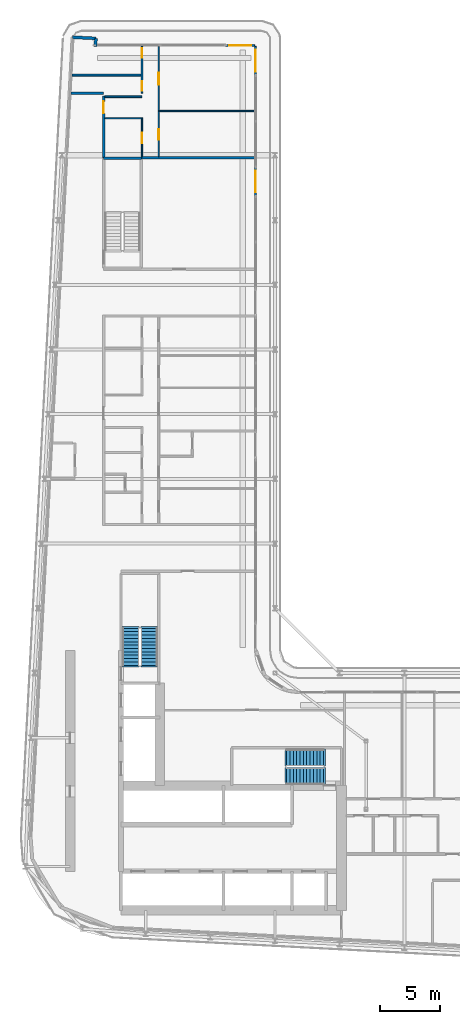
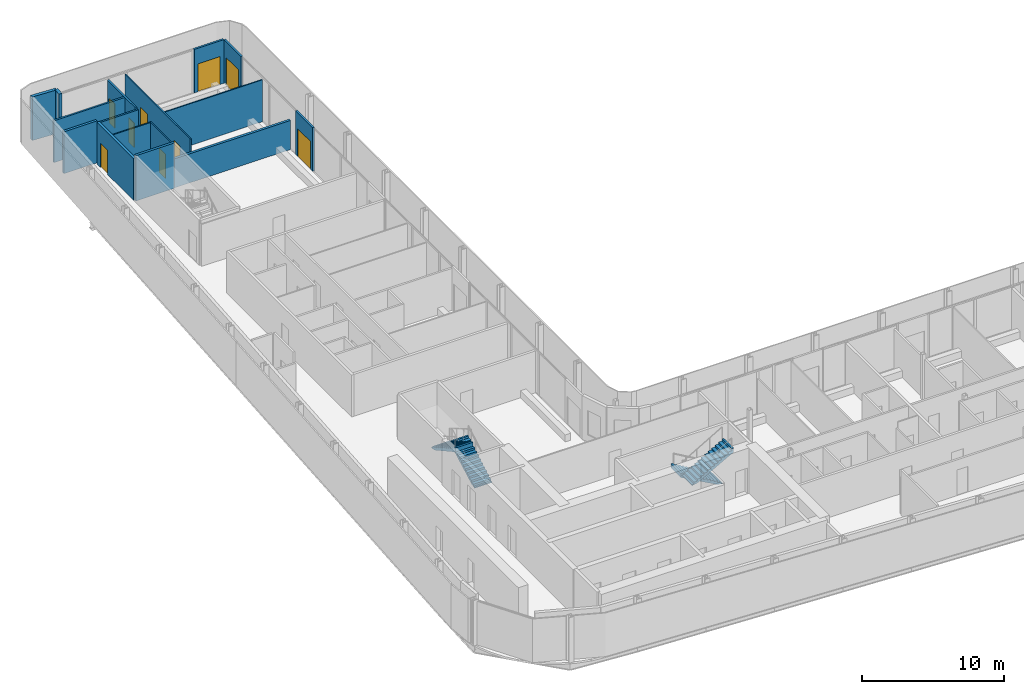
# One storey, part 21 of 29: 16 walls, 9 doors, 4 stair flights, 9 openings, 2 elements without a shape of their own.
"""IFC4 building model written with IfcOpenShell, lengths in metres."""

from ifc_helpers import new_model, si_unit, direction, frame, frame_2d, origin, place, context, subcontext, project, spatial, polyline, rectangle, outline, extrude, source, transform, mapped, material, layer, layer_set, type_object, element, fill, aggregate, save


model = new_model("IFC4")

# Units and contexts
model_context = context("Model", 3, precision=1e-05, world=origin(), true_north=direction((0.0, 1.0)))
body_context = subcontext(model_context, "Body", "Model", "MODEL_VIEW")
ifc_project = project(units=[si_unit("LENGTHUNIT", "METRE"), si_unit("AREAUNIT", "SQUARE_METRE"), si_unit("VOLUMEUNIT", "CUBIC_METRE"), si_unit("PLANEANGLEUNIT", "RADIAN"), si_unit("MASSUNIT", "GRAM", prefix="KILO")], contexts=[model_context])

# Site, building, storey
site_placement = place(None, origin())
site = spatial("IfcSite", under=ifc_project, at=site_placement, CompositionType="ELEMENT")
building_placement = place(site_placement, origin())
building = spatial("IfcBuilding", under=site, at=building_placement, Name="Kheshtan School and Residences Tower", CompositionType="ELEMENT")
storey_placement = place(building_placement, frame((0.0, 0.0, 183.800048828125)))
storey = spatial("IfcBuildingStorey", under=building, at=storey_placement, Name="L43", CompositionType="ELEMENT", Elevation=183.800048828125)

# Wall
ifc_material_1 = material(Name="Gypsum board on steel studs with fire boards", Category="steel")
ifc_layer_1 = layer(ifc_material_1, 0.199951171875)
ifc_layer_set_1 = layer_set([ifc_layer_1], Name="Corridor wall 200")
wall_type_1 = type_object("IfcWallType", Name="Corridor wall 200", PredefinedType="PARTITIONING", material=ifc_layer_set_1)
wall_1_placement = place(storey_placement, frame((30.584716796875, 94.0, 0.0), z_axis=(0.0, 0.0, 1.0), x_axis=(1.0, 0.0, 0.0)))
element("IfcWall", 1, at=wall_1_placement, inside=storey, type_object=wall_type_1, Name="Partition L43-002", PredefinedType="PARTITIONING", context=body_context, shape_type="SweptSolid", body=[
    extrude(rectangle(XDim=2.71533203125, YDim=0.199951171875, at=frame_2d((1.357666015625, 0.0))), origin(), (0.0, 0.0, 1.0), 3.599853515625),
])

# Wall, opening, door
wall_2_placement = place(storey_placement, frame((33.300048828125, 88.60009765625, 0.0), z_axis=(0.0, 0.0, 1.0), x_axis=(0.0, 1.0, 0.0)))
wall_2 = element("IfcWall", 2, at=wall_2_placement, inside=storey, type_object=wall_type_1, Name="Partition L43-005", PredefinedType="PARTITIONING", context=body_context, shape_type="SweptSolid", body=[
    extrude(rectangle(XDim=5.1748046875, YDim=0.199951171875, at=frame_2d((2.58740234375, 0.0))), origin(), (0.0, 0.0, 1.0), 3.599853515625),
])
opening_1_placement = place(wall_2_placement, frame((3.699951171875, 0.0, 0.0)))
opening_1 = element("IfcOpeningElement", 3, at=opening_1_placement, cuts=wall_2, Name="Opening D43-049", PredefinedType="OPENING", context=body_context, shape_type="SweptSolid", body=[
    extrude(rectangle(XDim=1.0, YDim=2.10009765625, at=frame_2d((0.5, 1.050048828125))), frame((0.0, 0.10986328125, 0.0), z_axis=(0.0, -1.0, 0.0), x_axis=(1.0, 0.0, 0.0)), (0.0, 0.0, 1.0), 0.219970703125),
])
ifc_material_2 = material(Name="Steel-framed fire-resisting door leaf", Category="steel")
door_type_1 = type_object("IfcDoorType", Name="Fire door FD30S 1000 x 2100", OperationType="SINGLE_SWING_LEFT", PredefinedType="DOOR", material=ifc_material_2)
shared_shape_1 = source(origin(), body_context, "Body", "SweptSolid", [
    extrude(rectangle(XDim=1.0, YDim=2.10009765625, at=frame_2d((0.5, 1.050048828125))), frame((0.0, 0.02490234375, 0.0), z_axis=(0.0, -1.0, 0.0), x_axis=(1.0, 0.0, 0.0)), (0.0, 0.0, 1.0), 0.050048828125),
])
door_1_placement = place(opening_1_placement, origin())
door_1 = element("IfcDoor", 4, at=door_1_placement, inside=storey, type_object=door_type_1, Name="Door D43-049", OperationType="SINGLE_SWING_RIGHT", OverallHeight=2.10009765625, OverallWidth=1.0, PredefinedType="DOOR", context=body_context, shape_type="MappedRepresentation", body=[
    mapped(shared_shape_1, transform((0.0, 0.0, 0.0), x_axis=(1.0, 0.0, 0.0), y_axis=(0.0, 1.0, 0.0), z_axis=(0.0, 0.0, 1.0), scale=1.0)),
])
fill(opening_1, door_1)

# Walls
ifc_material_3 = material(Name="Concrete C40/50 with ceramic cladding and mineral wool insulation", Category="concrete")
ifc_layer_2 = layer(ifc_material_3, 0.25)
ifc_layer_set_2 = layer_set([ifc_layer_2], Name="External wall 250 ceramic clad")
wall_type_2 = type_object("IfcWallType", Name="External wall 250 ceramic clad", PredefinedType="SOLIDWALL", material=ifc_layer_set_2)
wall_3_placement = place(storey_placement, frame((30.705078125, 98.6640625, 0.0), z_axis=(0.0, 0.0, 1.0), x_axis=(0.998577785791, -0.053314216913, 0.0)))
element("IfcWall", 5, at=wall_3_placement, inside=storey, type_object=wall_type_2, Name="External wall L43 5", PredefinedType="SOLIDWALL", context=body_context, shape_type="SweptSolid", body=[
    extrude(rectangle(XDim=1.95068359375, YDim=0.25, at=frame_2d((0.975341796875, 0.0))), origin(), (0.0, 0.0, 1.0), 3.75),
])
wall_4_placement = place(storey_placement, frame((32.653076171875, 98.56005859375, 0.0), z_axis=(0.0, 0.0, 1.0), x_axis=(-0.054093451632, -0.998535877418, 0.0)))
element("IfcWall", 6, at=wall_4_placement, inside=storey, type_object=wall_type_2, Name="External wall L43 6", PredefinedType="SOLIDWALL", context=body_context, shape_type="SweptSolid", body=[
    extrude(rectangle(XDim=0.66796875, YDim=0.25, at=frame_2d((0.333984375, 0.0))), origin(), (0.0, 0.0, 1.0), 3.75),
])

# Wall, opening, door
ifc_material_4 = material(Name="Aluminium frame wall with insulated infill", Category="aluminium")
ifc_layer_3 = layer(ifc_material_4, 0.14990234375)
ifc_layer_set_3 = layer_set([ifc_layer_3], Name="Glazing frame wall 150")
wall_type_3 = type_object("IfcWallType", Name="Glazing frame wall 150", PredefinedType="SOLIDWALL", material=ifc_layer_set_3)
wall_5_placement = place(storey_placement, frame((43.5, 97.97509765625, 0.0), z_axis=(0.0, 0.0, 1.0), x_axis=(1.0, 0.0, 0.0)))
wall_5 = element("IfcWall", 7, at=wall_5_placement, inside=storey, type_object=wall_type_3, Name="Balcony door wall L43 7.1", PredefinedType="SOLIDWALL", context=body_context, shape_type="SweptSolid", body=[
    extrude(rectangle(XDim=2.39990234375, YDim=0.14990234375, at=frame_2d((1.199951171875, 0.0))), origin(), (0.0, 0.0, 1.0), 3.75),
])
opening_2_placement = place(wall_5_placement, frame((0.300048828125, 0.0, 0.0)))
opening_2 = element("IfcOpeningElement", 8, at=opening_2_placement, cuts=wall_5, Name="Opening BD", PredefinedType="OPENING", context=body_context, shape_type="SweptSolid", body=[
    extrude(rectangle(XDim=1.800048828125, YDim=2.39990234375, at=frame_2d((0.89990234375, 1.199951171875))), frame((0.0, 0.0849609375, 0.0), z_axis=(0.0, -1.0, 0.0), x_axis=(1.0, 0.0, 0.0)), (0.0, 0.0, 1.0), 0.169921875),
])
ifc_material_5 = material(Name="Clear low-e glass in thermally broken aluminium frame", Category="aluminium")
door_type_2 = type_object("IfcDoorType", Name="Balcony sliding door", OperationType="SLIDING_TO_LEFT", PredefinedType="DOOR", material=ifc_material_5)
shared_shape_2 = source(origin(), body_context, "Body", "SweptSolid", [
    extrude(rectangle(XDim=1.800048828125, YDim=2.39990234375, at=frame_2d((0.89990234375, 1.199951171875))), frame((0.0, 0.02490234375, 0.0), z_axis=(0.0, -1.0, 0.0), x_axis=(1.0, 0.0, 0.0)), (0.0, 0.0, 1.0), 0.050048828125),
])
door_2_placement = place(opening_2_placement, origin())
door_2 = element("IfcDoor", 9, at=door_2_placement, inside=storey, type_object=door_type_2, Name="Balcony door L43 7.1", OperationType="SLIDING_TO_LEFT", OverallHeight=2.39990234375, OverallWidth=1.800048828125, PredefinedType="DOOR", context=body_context, shape_type="MappedRepresentation", body=[
    mapped(shared_shape_2, transform((0.0, 0.0, 0.0), x_axis=(1.0, 0.0, 0.0), y_axis=(0.0, 1.0, 0.0), z_axis=(0.0, 0.0, 1.0), scale=1.0)),
])
fill(opening_2, door_2)

wall_6_placement = place(storey_placement, frame((45.97509765625, 97.89990234375, 0.0), z_axis=(0.0, 0.0, 1.0), x_axis=(0.0, -1.0, 0.0)))
wall_6 = element("IfcWall", 10, at=wall_6_placement, inside=storey, type_object=wall_type_3, Name="Balcony door wall L43 8.1", PredefinedType="SOLIDWALL", context=body_context, shape_type="SweptSolid", body=[
    extrude(rectangle(XDim=2.39990234375, YDim=0.14990234375, at=frame_2d((1.199951171875, 0.0))), origin(), (0.0, 0.0, 1.0), 3.75),
])
opening_3_placement = place(wall_6_placement, frame((0.300048828125, 0.0, 0.0)))
opening_3 = element("IfcOpeningElement", 11, at=opening_3_placement, cuts=wall_6, Name="Opening BD", PredefinedType="OPENING", context=body_context, shape_type="SweptSolid", body=[
    extrude(rectangle(XDim=1.800048828125, YDim=2.39990234375, at=frame_2d((0.89990234375, 1.199951171875))), frame((0.0, 0.0849609375, 0.0), z_axis=(0.0, -1.0, 0.0), x_axis=(1.0, 0.0, 0.0)), (0.0, 0.0, 1.0), 0.169921875),
])
door_3_placement = place(opening_3_placement, origin())
door_3 = element("IfcDoor", 12, at=door_3_placement, inside=storey, type_object=door_type_2, Name="Balcony door L43 8.1", OperationType="SLIDING_TO_LEFT", OverallHeight=2.39990234375, OverallWidth=1.800048828125, PredefinedType="DOOR", context=body_context, shape_type="MappedRepresentation", body=[
    mapped(shared_shape_2, transform((0.0, 0.0, 0.0), x_axis=(1.0, 0.0, 0.0), y_axis=(0.0, 1.0, 0.0), z_axis=(0.0, 0.0, 1.0), scale=1.0)),
])
fill(opening_3, door_3)

wall_7_placement = place(storey_placement, frame((45.97509765625, 87.805908203125, 0.0), z_axis=(0.0, 0.0, 1.0), x_axis=(0.0, -1.0, 0.0)))
wall_7 = element("IfcWall", 13, at=wall_7_placement, inside=storey, type_object=wall_type_3, Name="Balcony door wall L43 8.2", PredefinedType="SOLIDWALL", context=body_context, shape_type="SweptSolid", body=[
    extrude(rectangle(XDim=2.39990234375, YDim=0.14990234375, at=frame_2d((1.199951171875, 0.0))), origin(), (0.0, 0.0, 1.0), 3.75),
])
opening_4_placement = place(wall_7_placement, frame((0.300048828125, 0.0, 0.0)))
opening_4 = element("IfcOpeningElement", 14, at=opening_4_placement, cuts=wall_7, Name="Opening BD", PredefinedType="OPENING", context=body_context, shape_type="SweptSolid", body=[
    extrude(rectangle(XDim=1.800048828125, YDim=2.39990234375, at=frame_2d((0.89990234375, 1.199951171875))), frame((0.0, 0.0849609375, 0.0), z_axis=(0.0, -1.0, 0.0), x_axis=(1.0, 0.0, 0.0)), (0.0, 0.0, 1.0), 0.169921875),
])
door_4_placement = place(opening_4_placement, origin())
door_4 = element("IfcDoor", 15, at=door_4_placement, inside=storey, type_object=door_type_2, Name="Balcony door L43 8.2", OperationType="SLIDING_TO_LEFT", OverallHeight=2.39990234375, OverallWidth=1.800048828125, PredefinedType="DOOR", context=body_context, shape_type="MappedRepresentation", body=[
    mapped(shared_shape_2, transform((0.0, 0.0, 0.0), x_axis=(1.0, 0.0, 0.0), y_axis=(0.0, 1.0, 0.0), z_axis=(0.0, 0.0, 1.0), scale=1.0)),
])
fill(opening_4, door_4)

# Wall
ifc_material_6 = material(Name="Gypsum board on steel studs", Category="steel")
ifc_layer_4 = layer(ifc_material_6, 0.10009765625)
ifc_layer_set_4 = layer_set([ifc_layer_4], Name="Gypsum partition 100")
wall_type_4 = type_object("IfcWallType", Name="Gypsum partition 100", PredefinedType="PARTITIONING", material=ifc_layer_set_4)
wall_8_placement = place(storey_placement, frame((33.39990234375, 91.89990234375, 0.0), z_axis=(0.0, 0.0, 1.0), x_axis=(1.0, 0.0, 0.0)))
element("IfcWall", 16, at=wall_8_placement, inside=storey, type_object=wall_type_4, Name="Partition L43-014", PredefinedType="PARTITIONING", context=body_context, shape_type="SweptSolid", body=[
    extrude(rectangle(XDim=3.050048828125, YDim=0.10009765625, at=frame_2d((1.52490234375, 0.0))), origin(), (0.0, 0.0, 1.0), 3.599853515625),
])

# Wall, opening, door
wall_9_placement = place(storey_placement, frame((36.5, 88.699951171875, 0.0), z_axis=(0.0, 0.0, 1.0), x_axis=(0.0, 1.0, 0.0)))
wall_9 = element("IfcWall", 17, at=wall_9_placement, inside=storey, type_object=wall_type_4, Name="Partition L43-021", PredefinedType="PARTITIONING", context=body_context, shape_type="SweptSolid", body=[
    extrude(rectangle(XDim=3.25, YDim=0.10009765625, at=frame_2d((1.625, 0.0))), origin(), (0.0, 0.0, 1.0), 3.599853515625),
])
opening_5_placement = place(wall_9_placement, frame((1.10009765625, 0.0, 0.0)))
opening_5 = element("IfcOpeningElement", 18, at=opening_5_placement, cuts=wall_9, Name="Opening D43-050", PredefinedType="OPENING", context=body_context, shape_type="SweptSolid", body=[
    extrude(rectangle(XDim=0.89990234375, YDim=2.10009765625, at=frame_2d((0.449951171875, 1.050048828125))), frame((0.0, 0.06005859375, 0.0), z_axis=(0.0, -1.0, 0.0), x_axis=(1.0, 0.0, 0.0)), (0.0, 0.0, 1.0), 0.1201171875),
])
ifc_material_7 = material(Name="Veneered timber door leaf", Category="wood")
door_type_3 = type_object("IfcDoorType", Name="Door 900 x 2100", OperationType="SINGLE_SWING_LEFT", PredefinedType="DOOR", material=ifc_material_7)
shared_shape_3 = source(origin(), body_context, "Body", "SweptSolid", [
    extrude(rectangle(XDim=0.89990234375, YDim=2.10009765625, at=frame_2d((0.449951171875, 1.050048828125))), frame((0.0, 0.02490234375, 0.0), z_axis=(0.0, -1.0, 0.0), x_axis=(1.0, 0.0, 0.0)), (0.0, 0.0, 1.0), 0.050048828125),
])
door_5_placement = place(opening_5_placement, origin())
door_5 = element("IfcDoor", 19, at=door_5_placement, inside=storey, type_object=door_type_3, Name="Door D43-050", OperationType="SINGLE_SWING_LEFT", OverallHeight=2.10009765625, OverallWidth=0.89990234375, PredefinedType="DOOR", context=body_context, shape_type="MappedRepresentation", body=[
    mapped(shared_shape_3, transform((0.0, 0.0, 0.0), x_axis=(1.0, 0.0, 0.0), y_axis=(0.0, 1.0, 0.0), z_axis=(0.0, 0.0, 1.0), scale=1.0)),
])
fill(opening_5, door_5)

# Wall, openings, doors
wall_10_placement = place(storey_placement, frame((37.89990234375, 88.699951171875, 0.0), z_axis=(0.0, 0.0, 1.0), x_axis=(0.0, 1.0, 0.0)))
wall_10 = element("IfcWall", 20, at=wall_10_placement, inside=storey, type_object=wall_type_4, Name="Partition L43-024", PredefinedType="PARTITIONING", context=body_context, shape_type="SweptSolid", body=[
    extrude(rectangle(XDim=9.199951171875, YDim=0.10009765625, at=frame_2d((4.60009765625, 0.0))), origin(), (0.0, 0.0, 1.0), 3.599853515625),
])
opening_6_placement = place(wall_10_placement, frame((1.39990234375, 0.0, 0.0)))
opening_6 = element("IfcOpeningElement", 21, at=opening_6_placement, cuts=wall_10, Name="Opening D43-048", PredefinedType="OPENING", context=body_context, shape_type="SweptSolid", body=[
    extrude(rectangle(XDim=0.89990234375, YDim=2.10009765625, at=frame_2d((0.449951171875, 1.050048828125))), frame((0.0, 0.06005859375, 0.0), z_axis=(0.0, -1.0, 0.0), x_axis=(1.0, 0.0, 0.0)), (0.0, 0.0, 1.0), 0.1201171875),
])
opening_7_placement = place(wall_10_placement, frame((6.0, 0.0, 0.0)))
opening_7 = element("IfcOpeningElement", 22, at=opening_7_placement, cuts=wall_10, Name="Opening D43-051", PredefinedType="OPENING", context=body_context, shape_type="SweptSolid", body=[
    extrude(rectangle(XDim=1.0, YDim=2.10009765625, at=frame_2d((0.5, 1.050048828125))), frame((0.0, 0.06005859375, 0.0), z_axis=(0.0, -1.0, 0.0), x_axis=(1.0, 0.0, 0.0)), (0.0, 0.0, 1.0), 0.1201171875),
])
door_type_4 = type_object("IfcDoorType", Name="Door 1000 x 2100", OperationType="SINGLE_SWING_LEFT", PredefinedType="DOOR", material=ifc_material_7)
shared_shape_4 = source(origin(), body_context, "Body", "SweptSolid", [
    extrude(rectangle(XDim=1.0, YDim=2.10009765625, at=frame_2d((0.5, 1.050048828125))), frame((0.0, 0.02490234375, 0.0), z_axis=(0.0, -1.0, 0.0), x_axis=(1.0, 0.0, 0.0)), (0.0, 0.0, 1.0), 0.050048828125),
])
door_6_placement = place(opening_7_placement, origin())
door_6 = element("IfcDoor", 23, at=door_6_placement, inside=storey, type_object=door_type_4, Name="Door D43-051", OperationType="SINGLE_SWING_RIGHT", OverallHeight=2.10009765625, OverallWidth=1.0, PredefinedType="DOOR", context=body_context, shape_type="MappedRepresentation", body=[
    mapped(shared_shape_4, transform((0.0, 0.0, 0.0), x_axis=(1.0, 0.0, 0.0), y_axis=(0.0, 1.0, 0.0), z_axis=(0.0, 0.0, 1.0), scale=1.0)),
])
fill(opening_7, door_6)
door_7_placement = place(opening_6_placement, origin())
door_7 = element("IfcDoor", 24, at=door_7_placement, inside=storey, type_object=door_type_3, Name="Door D43-048", OperationType="SINGLE_SWING_LEFT", OverallHeight=2.10009765625, OverallWidth=0.89990234375, PredefinedType="DOOR", context=body_context, shape_type="MappedRepresentation", body=[
    mapped(shared_shape_3, transform((0.0, 0.0, 0.0), x_axis=(1.0, 0.0, 0.0), y_axis=(0.0, 1.0, 0.0), z_axis=(0.0, 0.0, 1.0), scale=1.0)),
])
fill(opening_6, door_7)

# Walls
wall_11_placement = place(storey_placement, frame((37.949951171875, 92.5, 0.0), z_axis=(0.0, 0.0, 1.0), x_axis=(1.0, 0.0, 0.0)))
element("IfcWall", 25, at=wall_11_placement, inside=storey, type_object=wall_type_4, Name="Partition L43-025", PredefinedType="PARTITIONING", context=body_context, shape_type="SweptSolid", body=[
    extrude(rectangle(XDim=7.949951171875, YDim=0.10009765625, at=frame_2d((3.97509765625, 0.0))), origin(), (0.0, 0.0, 1.0), 3.599853515625),
])
ifc_material_8 = material(Name="Concrete C40/50", Category="concrete")
ifc_layer_5 = layer(ifc_material_8, 0.199951171875)
ifc_layer_set_5 = layer_set([ifc_layer_5], Name="Stair enclosure wall 200 Concrete C40/50")
wall_type_5 = type_object("IfcWallType", Name="Stair enclosure wall 200 Concrete C40/50", PredefinedType="SHEAR", material=ifc_layer_set_5)
wall_12_placement = place(storey_placement, frame((33.300048828125, 88.56005859375, 0.0), z_axis=(0.0, 0.0, 1.0), x_axis=(1.0, 0.0, 0.0)))
element("IfcWall", 26, at=wall_12_placement, inside=storey, type_object=wall_type_5, Name="Stair enclosure wall ST3", PredefinedType="SHEAR", context=body_context, shape_type="SweptSolid", body=[
    extrude(rectangle(XDim=3.14990234375, YDim=0.199951171875, at=frame_2d((1.574951171875, 0.0))), origin(), (0.0, 0.0, 1.0), 3.89990234375),
])
ifc_material_9 = material(Name="Twin gypsum board on steel studs with mineral wool", Category="steel")
ifc_layer_6 = layer(ifc_material_9, 0.199951171875)
ifc_layer_set_6 = layer_set([ifc_layer_6], Name="Unit demising wall 200")
wall_type_6 = type_object("IfcWallType", Name="Unit demising wall 200", PredefinedType="PARTITIONING", material=ifc_layer_set_6)
wall_13_placement = place(storey_placement, frame((36.449951171875, 88.60009765625, 0.0), z_axis=(0.0, 0.0, 1.0), x_axis=(1.0, 0.0, 0.0)))
element("IfcWall", 27, at=wall_13_placement, inside=storey, type_object=wall_type_6, Name="Partition L43-018", PredefinedType="PARTITIONING", context=body_context, shape_type="SweptSolid", body=[
    extrude(rectangle(XDim=9.449951171875, YDim=0.199951171875, at=frame_2d((4.72509765625, 0.0))), origin(), (0.0, 0.0, 1.0), 2.5),
])
ifc_material_10 = material(Name="Moisture-resistant gypsum board on steel studs", Category="steel")
ifc_layer_7 = layer(ifc_material_10, 0.14990234375)
ifc_layer_set_7 = layer_set([ifc_layer_7], Name="Wet-room partition 150")
wall_type_7 = type_object("IfcWallType", Name="Wet-room partition 150", PredefinedType="PARTITIONING", material=ifc_layer_set_7)
wall_14_placement = place(storey_placement, frame((30.6640625, 95.5, 0.0), z_axis=(0.0, 0.0, 1.0), x_axis=(1.0, 0.0, 0.0)))
element("IfcWall", 28, at=wall_14_placement, inside=storey, type_object=wall_type_7, Name="Partition L43-001", PredefinedType="PARTITIONING", context=body_context, shape_type="SweptSolid", body=[
    extrude(rectangle(XDim=5.760986328125, YDim=0.14990234375, at=frame_2d((2.88037109375, 0.0))), origin(), (0.0, 0.0, 1.0), 3.599853515625),
])
wall_15_placement = place(storey_placement, frame((33.39990234375, 93.699951171875, 0.0), z_axis=(0.0, 0.0, 1.0), x_axis=(1.0, 0.0, 0.0)))
element("IfcWall", 29, at=wall_15_placement, inside=storey, type_object=wall_type_7, Name="Partition L43-015", PredefinedType="PARTITIONING", context=body_context, shape_type="SweptSolid", body=[
    extrude(rectangle(XDim=3.10009765625, YDim=0.14990234375, at=frame_2d((1.550048828125, 0.0))), origin(), (0.0, 0.0, 1.0), 3.599853515625),
])

# Wall, openings, doors
wall_16_placement = place(storey_placement, frame((36.5, 94.0, 0.0), z_axis=(0.0, 0.0, 1.0), x_axis=(0.0, 1.0, 0.0)))
wall_16 = element("IfcWall", 30, at=wall_16_placement, inside=storey, type_object=wall_type_7, Name="Partition L43-022", PredefinedType="PARTITIONING", context=body_context, shape_type="SweptSolid", body=[
    extrude(rectangle(XDim=3.89990234375, YDim=0.14990234375, at=frame_2d((1.949951171875, 0.0))), origin(), (0.0, 0.0, 1.0), 3.599853515625),
])
opening_8_placement = place(wall_16_placement, frame((2.949951171875, 0.0, 0.0)))
opening_8 = element("IfcOpeningElement", 31, at=opening_8_placement, cuts=wall_16, Name="Opening D43-047", PredefinedType="OPENING", context=body_context, shape_type="SweptSolid", body=[
    extrude(rectangle(XDim=0.800048828125, YDim=2.10009765625, at=frame_2d((0.39990234375, 1.050048828125))), frame((0.0, 0.0849609375, 0.0), z_axis=(0.0, -1.0, 0.0), x_axis=(1.0, 0.0, 0.0)), (0.0, 0.0, 1.0), 0.169921875),
])
opening_9_placement = place(wall_16_placement, frame((0.199951171875, 0.0, 0.0)))
opening_9 = element("IfcOpeningElement", 32, at=opening_9_placement, cuts=wall_16, Name="Opening D43-052", PredefinedType="OPENING", context=body_context, shape_type="SweptSolid", body=[
    extrude(rectangle(XDim=0.800048828125, YDim=2.10009765625, at=frame_2d((0.39990234375, 1.050048828125))), frame((0.0, 0.0849609375, 0.0), z_axis=(0.0, -1.0, 0.0), x_axis=(1.0, 0.0, 0.0)), (0.0, 0.0, 1.0), 0.169921875),
])
door_type_5 = type_object("IfcDoorType", Name="Door 800 x 2100", OperationType="SINGLE_SWING_LEFT", PredefinedType="DOOR", material=ifc_material_7)
shared_shape_5 = source(origin(), body_context, "Body", "SweptSolid", [
    extrude(rectangle(XDim=0.800048828125, YDim=2.10009765625, at=frame_2d((0.39990234375, 1.050048828125))), frame((0.0, 0.02490234375, 0.0), z_axis=(0.0, -1.0, 0.0), x_axis=(1.0, 0.0, 0.0)), (0.0, 0.0, 1.0), 0.050048828125),
])
door_8_placement = place(opening_8_placement, origin())
door_8 = element("IfcDoor", 33, at=door_8_placement, inside=storey, type_object=door_type_5, Name="Door D43-047", OperationType="SINGLE_SWING_LEFT", OverallHeight=2.10009765625, OverallWidth=0.800048828125, PredefinedType="DOOR", context=body_context, shape_type="MappedRepresentation", body=[
    mapped(shared_shape_5, transform((0.0, 0.0, 0.0), x_axis=(1.0, 0.0, 0.0), y_axis=(0.0, 1.0, 0.0), z_axis=(0.0, 0.0, 1.0), scale=1.0)),
])
fill(opening_8, door_8)
door_9_placement = place(opening_9_placement, origin())
door_9 = element("IfcDoor", 34, at=door_9_placement, inside=storey, type_object=door_type_5, Name="Door D43-052", OperationType="SINGLE_SWING_RIGHT", OverallHeight=2.10009765625, OverallWidth=0.800048828125, PredefinedType="DOOR", context=body_context, shape_type="MappedRepresentation", body=[
    mapped(shared_shape_5, transform((0.0, 0.0, 0.0), x_axis=(1.0, 0.0, 0.0), y_axis=(0.0, 1.0, 0.0), z_axis=(0.0, 0.0, 1.0), scale=1.0)),
])
fill(opening_9, door_9)

# Stair, stair flights
stair_type = type_object("IfcStairType", Name="Exit stair, half-turn", PredefinedType="HALF_TURN_STAIR", material=ifc_material_8)
stair_1_placement = place(storey_placement, origin())
stair_1 = element("IfcStair", 35, at=stair_1_placement, inside=storey, type_object=stair_type, Name="L43 Protected Exit Stair ST1", PredefinedType="HALF_TURN_STAIR")
ifc_layer_8 = layer(ifc_material_8, 0.14990234375)
ifc_layer_set_8 = layer_set([ifc_layer_8], Name="Stair flight 1400 Concrete C40/50")
stair_flight_type = type_object("IfcStairFlightType", Name="Stair flight 1400 Concrete C40/50", PredefinedType="STRAIGHT", material=ifc_layer_set_8)
stair_flight_1_placement = place(storey_placement, frame((51.64990234375, 38.550048828125, 0.0), z_axis=(0.0, 0.0, 1.0), x_axis=(-1.0, 0.0, 0.0)))
stair_flight_1 = element("IfcStairFlight", 36, at=stair_flight_1_placement, type_object=stair_flight_type, Name="ST1 flight 1", NumberOfRisers=12, NumberOfTreads=11, PredefinedType="STRAIGHT", RiserHeight=0.1625, TreadLength=0.28, context=body_context, shape_type="SweptSolid", body=[
    extrude(outline(polyline([(-0.14990234375, -0.10009765625), (-0.14990234375, 0.0), (0.0, 0.0), (0.0, 0.16259765625), (0.280029296875, 0.16259765625), (0.280029296875, 0.324951171875), (0.56005859375, 0.324951171875), (0.56005859375, 0.487548828125), (0.840087890625, 0.487548828125), (0.840087890625, 0.64990234375), (1.1201171875, 0.64990234375), (1.1201171875, 0.8125), (1.39990234375, 0.8125), (1.39990234375, 0.97509765625), (1.679931640625, 0.97509765625), (1.679931640625, 1.137451171875), (1.9599609375, 1.137451171875), (1.9599609375, 1.300048828125), (2.239990234375, 1.300048828125), (2.239990234375, 1.46240234375), (2.52001953125, 1.46240234375), (2.52001953125, 1.625), (2.800048828125, 1.625), (2.800048828125, 1.78759765625), (3.080078125, 1.78759765625), (3.080078125, 1.949951171875), (3.080078125, 1.969970703125), (3.22998046875, 1.969970703125), (3.22998046875, 1.6142578125), (0.298583984375, 0.0), (-0.14990234375, -0.10009765625)])), frame((0.0, 0.699951171875, 0.0), z_axis=(0.0, -1.0, 0.0), x_axis=(1.0, 0.0, 0.0)), (0.0, 0.0, 1.0), 1.39990234375),
])
stair_flight_2_placement = place(storey_placement, frame((48.570068359375, 37.0, 1.949951171875), z_axis=(0.0, 0.0, 1.0), x_axis=(1.0, 0.0, 0.0)))
stair_flight_2 = element("IfcStairFlight", 37, at=stair_flight_2_placement, type_object=stair_flight_type, Name="ST1 flight 2", NumberOfRisers=12, NumberOfTreads=11, PredefinedType="STRAIGHT", RiserHeight=0.1625, TreadLength=0.28, context=body_context, shape_type="SweptSolid", body=[
    extrude(outline(polyline([(-0.14990234375, -0.10009765625), (-0.14990234375, 0.0), (0.0, 0.0), (0.0, 0.16259765625), (0.280029296875, 0.16259765625), (0.280029296875, 0.324951171875), (0.56005859375, 0.324951171875), (0.56005859375, 0.487548828125), (0.840087890625, 0.487548828125), (0.840087890625, 0.64990234375), (1.1201171875, 0.64990234375), (1.1201171875, 0.8125), (1.39990234375, 0.8125), (1.39990234375, 0.97509765625), (1.679931640625, 0.97509765625), (1.679931640625, 1.137451171875), (1.9599609375, 1.137451171875), (1.9599609375, 1.300048828125), (2.239990234375, 1.300048828125), (2.239990234375, 1.46240234375), (2.52001953125, 1.46240234375), (2.52001953125, 1.625), (2.800048828125, 1.625), (2.800048828125, 1.78759765625), (3.080078125, 1.78759765625), (3.080078125, 1.949951171875), (3.080078125, 1.969970703125), (3.22998046875, 1.969970703125), (3.22998046875, 1.6142578125), (0.298583984375, 0.0), (-0.14990234375, -0.10009765625)])), frame((0.0, 0.699951171875, 0.0), z_axis=(0.0, -1.0, 0.0), x_axis=(1.0, 0.0, 0.0)), (0.0, 0.0, 1.0), 1.39990234375),
])
aggregate(stair_1, [stair_flight_1, stair_flight_2])

stair_2_placement = place(storey_placement, origin())
stair_2 = element("IfcStair", 38, at=stair_2_placement, inside=storey, type_object=stair_type, Name="L43 Protected Exit Stair ST2", PredefinedType="HALF_TURN_STAIR")
stair_flight_3_placement = place(storey_placement, frame((37.10009765625, 46.25, 0.0), z_axis=(0.0, 0.0, 1.0), x_axis=(0.0, 1.0, 0.0)))
stair_flight_3 = element("IfcStairFlight", 39, at=stair_flight_3_placement, type_object=stair_flight_type, Name="ST2 flight 1", NumberOfRisers=12, NumberOfTreads=11, PredefinedType="STRAIGHT", RiserHeight=0.1625, TreadLength=0.28, context=body_context, shape_type="SweptSolid", body=[
    extrude(outline(polyline([(-0.14990234375, -0.10009765625), (-0.14990234375, 0.0), (0.0, 0.0), (0.0, 0.16259765625), (0.280029296875, 0.16259765625), (0.280029296875, 0.324951171875), (0.56005859375, 0.324951171875), (0.56005859375, 0.487548828125), (0.840087890625, 0.487548828125), (0.840087890625, 0.64990234375), (1.1201171875, 0.64990234375), (1.1201171875, 0.8125), (1.39990234375, 0.8125), (1.39990234375, 0.97509765625), (1.679931640625, 0.97509765625), (1.679931640625, 1.137451171875), (1.9599609375, 1.137451171875), (1.9599609375, 1.300048828125), (2.239990234375, 1.300048828125), (2.239990234375, 1.46240234375), (2.52001953125, 1.46240234375), (2.52001953125, 1.625), (2.800048828125, 1.625), (2.800048828125, 1.78759765625), (3.080078125, 1.78759765625), (3.080078125, 1.949951171875), (3.080078125, 1.969970703125), (3.22998046875, 1.969970703125), (3.22998046875, 1.6142578125), (0.298583984375, 0.0), (-0.14990234375, -0.10009765625)])), frame((0.0, 0.699951171875, 0.0), z_axis=(0.0, -1.0, 0.0), x_axis=(1.0, 0.0, 0.0)), (0.0, 0.0, 1.0), 1.39990234375),
])
stair_flight_4_placement = place(storey_placement, frame((35.550048828125, 49.330078125, 1.949951171875), z_axis=(0.0, 0.0, 1.0), x_axis=(0.0, -1.0, 0.0)))
stair_flight_4 = element("IfcStairFlight", 40, at=stair_flight_4_placement, type_object=stair_flight_type, Name="ST2 flight 2", NumberOfRisers=12, NumberOfTreads=11, PredefinedType="STRAIGHT", RiserHeight=0.1625, TreadLength=0.28, context=body_context, shape_type="SweptSolid", body=[
    extrude(outline(polyline([(-0.14990234375, -0.10009765625), (-0.14990234375, 0.0), (0.0, 0.0), (0.0, 0.16259765625), (0.280029296875, 0.16259765625), (0.280029296875, 0.324951171875), (0.56005859375, 0.324951171875), (0.56005859375, 0.487548828125), (0.840087890625, 0.487548828125), (0.840087890625, 0.64990234375), (1.1201171875, 0.64990234375), (1.1201171875, 0.8125), (1.39990234375, 0.8125), (1.39990234375, 0.97509765625), (1.679931640625, 0.97509765625), (1.679931640625, 1.137451171875), (1.9599609375, 1.137451171875), (1.9599609375, 1.300048828125), (2.239990234375, 1.300048828125), (2.239990234375, 1.46240234375), (2.52001953125, 1.46240234375), (2.52001953125, 1.625), (2.800048828125, 1.625), (2.800048828125, 1.78759765625), (3.080078125, 1.78759765625), (3.080078125, 1.949951171875), (3.080078125, 1.969970703125), (3.22998046875, 1.969970703125), (3.22998046875, 1.6142578125), (0.298583984375, 0.0), (-0.14990234375, -0.10009765625)])), frame((0.0, 0.699951171875, 0.0), z_axis=(0.0, -1.0, 0.0), x_axis=(1.0, 0.0, 0.0)), (0.0, 0.0, 1.0), 1.39990234375),
])
aggregate(stair_2, [stair_flight_3, stair_flight_4])

save(model, "model.ifc")
